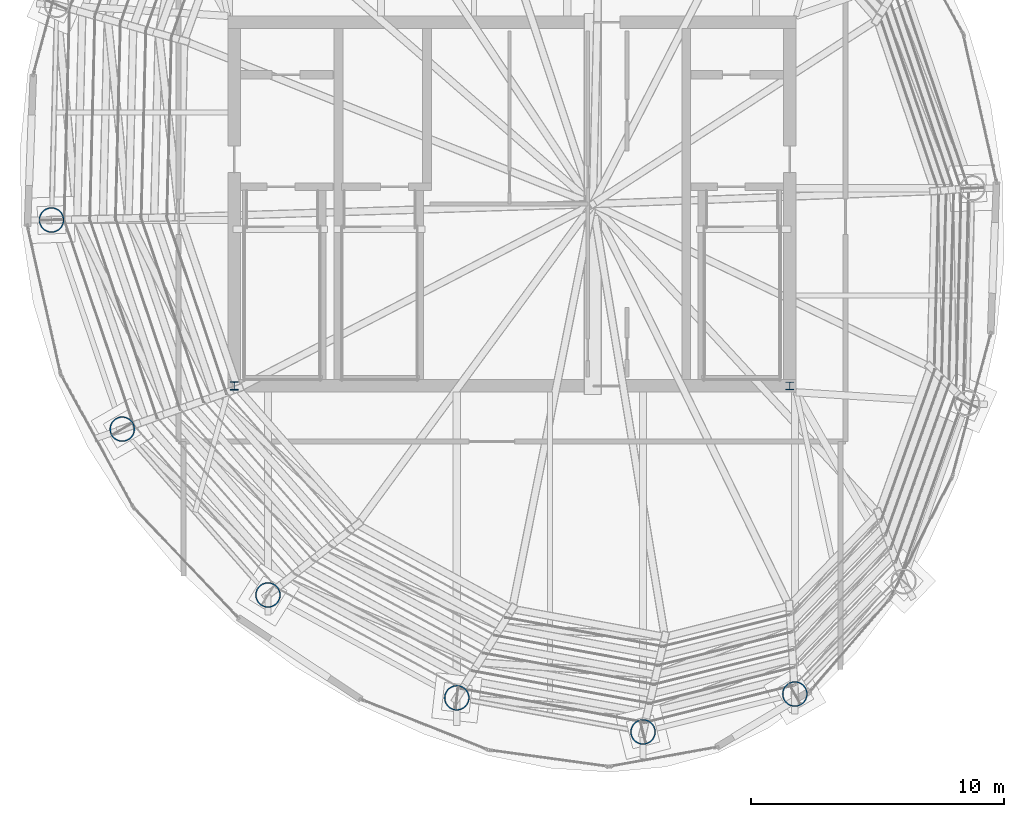
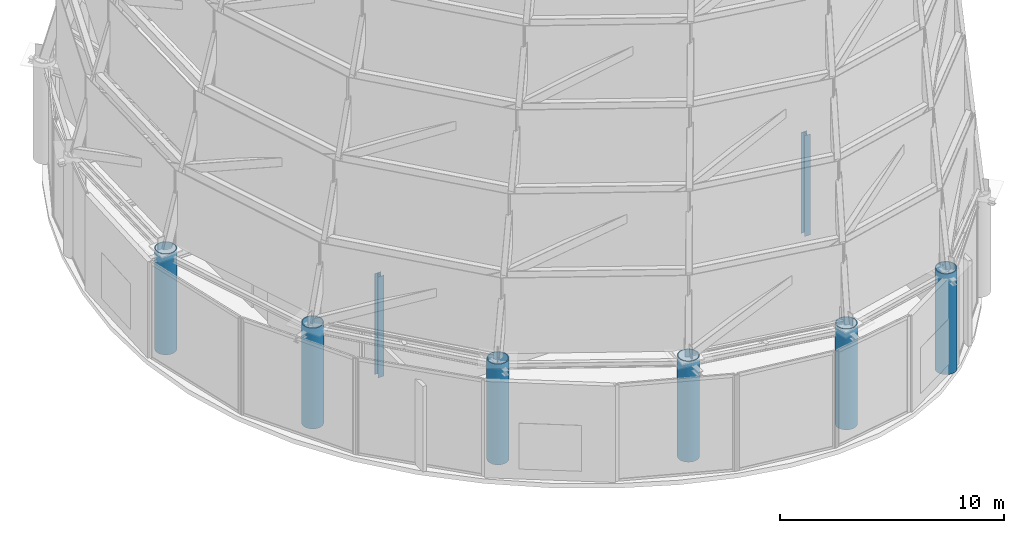
# One storey, part 1 of 40: 8 columns.
"""IFC4 building model written with IfcOpenShell, lengths in metres."""

from ifc_helpers import new_model, si_unit, direction, frame, origin, origin_2d, place, context, subcontext, project, spatial, hollow_circle, i_section, extrude, material, material_profile, profile_set, type_object, element, save


model = new_model("IFC4")

# Units and contexts
model_context = context("Model", 3, precision=1e-05, world=origin(), true_north=direction((0.0, 1.0)))
body_context = subcontext(model_context, "Body", "Model", "MODEL_VIEW")
ifc_project = project(units=[si_unit("LENGTHUNIT", "METRE"), si_unit("AREAUNIT", "SQUARE_METRE"), si_unit("VOLUMEUNIT", "CUBIC_METRE"), si_unit("PLANEANGLEUNIT", "RADIAN"), si_unit("MASSUNIT", "GRAM", prefix="KILO")], contexts=[model_context])

# Site, building, storey
site_placement = place(None, origin())
site = spatial("IfcSite", under=ifc_project, at=site_placement, CompositionType="ELEMENT")
building_placement = place(site_placement, origin())
building = spatial("IfcBuilding", under=site, at=building_placement, Name="Bramvorn Convention Spire", CompositionType="ELEMENT")
storey_placement = place(building_placement, frame((0.0, 0.0, 312.5)))
storey = spatial("IfcBuildingStorey", under=building, at=storey_placement, Name="L79", CompositionType="ELEMENT", Elevation=312.5)

# Columns
ifc_material = material(Name="Steel CSA G40.21 Grade 350 (350W)", Category="steel")
ifc_material_profile_1 = material_profile(ifc_material, hollow_circle(Radius=0.5, WallThickness=0.044921875, at=origin_2d()))
ifc_profile_set_1 = profile_set([ifc_material_profile_1], Name="Steel CSA G40.21 Grade 350 (350W) - CFT1000X45")
column_type_1 = type_object("IfcColumnType", Name="COL-CFT1000X45", PredefinedType="COLUMN", material=ifc_profile_set_1)
for number, where, z_axis, x_axis, name in (
    (1, (49.199951171875, 6.60107421875, 0.0), (0.0, 0.0, 1.0), (1.0, 0.0, 0.0), "L79 composite CFT mega-column MC01"),
    (2, (19.765380859375, 25.37060546875, 0.0), (0.0, 0.0, 1.0), (1.0, 0.0, 0.0), "L79 composite CFT mega-column MC12"),
    (3, (22.5673828125, 17.090087890625, 0.0), (0.0, 0.0, 1.0), (1.0, 0.0, 0.0), "L79 composite CFT mega-column MC13"),
    (4, (28.337646484375, 10.523193359375, 0.0), (0.0, 0.0, 1.0), (1.0, 0.0, 0.0), "L79 composite CFT mega-column MC14"),
    (5, (35.8154296875, 6.44921875, 0.0), (0.0, 0.0, 1.0), (1.0, 0.0, 0.0), "L79 composite CFT mega-column MC15"),
    (6, (43.1884765625, 5.09912109375, 0.0), (0.0, 0.0, 1.0), (1.0, 0.0, 0.0), "L79 composite CFT mega-column MC16"),
):
    element("IfcColumn", number, at=place(storey_placement, frame(where, z_axis=z_axis, x_axis=x_axis)), inside=storey, type_object=column_type_1, Name=name, PredefinedType="COLUMN", context=body_context, shape_type="SweptSolid", body=[
        extrude(hollow_circle(Radius=0.5, WallThickness=0.044921875, at=origin_2d()), origin(), (0.0, 0.0, 1.0), 5.5),
    ])
ifc_material_profile_2 = material_profile(ifc_material, i_section(OverallWidth=0.30908203125, OverallDepth=0.322998046875, WebThickness=0.013916015625, FlangeThickness=0.02294921875, FilletRadius=0.014892578125, at=origin_2d()))
ifc_profile_set_2 = profile_set([ifc_material_profile_2], Name="Steel CSA G40.21 Grade 350 (350W) - W310X143")
column_type_2 = type_object("IfcColumnType", Name="COL-W310X143", PredefinedType="COLUMN", material=ifc_profile_set_2)
column_1_placement = place(storey_placement, frame((27.0, 18.800048828125, 0.0), z_axis=(0.0, 0.0, 1.0), x_axis=(1.0, 0.0, 0.0)))
element("IfcColumn", 7, at=column_1_placement, inside=storey, type_object=column_type_2, Name="L79 auxiliary structural column PC-L79-1", PredefinedType="COLUMN", context=body_context, shape_type="SweptSolid", body=[
    extrude(i_section(OverallWidth=0.30908203125, OverallDepth=0.322998046875, WebThickness=0.013916015625, FlangeThickness=0.02294921875, FilletRadius=0.014892578125, at=origin_2d()), origin(), (0.0, 0.0, 1.0), 5.5),
])
ifc_material_profile_3 = material_profile(ifc_material, i_section(OverallWidth=0.304931640625, OverallDepth=0.30810546875, WebThickness=0.010009765625, FlangeThickness=0.015380859375, FilletRadius=0.014892578125, at=origin_2d()))
ifc_profile_set_3 = profile_set([ifc_material_profile_3], Name="Steel CSA G40.21 Grade 350 (350W) - W310X97")
column_type_3 = type_object("IfcColumnType", Name="COL-W310X97", PredefinedType="COLUMN", material=ifc_profile_set_3)
column_2_placement = place(storey_placement, frame((49.0, 18.800048828125, 0.0), z_axis=(0.0, 0.0, 1.0), x_axis=(1.0, 0.0, 0.0)))
element("IfcColumn", 8, at=column_2_placement, inside=storey, type_object=column_type_3, Name="L79 auxiliary structural column PC-L79-2", PredefinedType="COLUMN", context=body_context, shape_type="SweptSolid", body=[
    extrude(i_section(OverallWidth=0.304931640625, OverallDepth=0.30810546875, WebThickness=0.010009765625, FlangeThickness=0.015380859375, FilletRadius=0.014892578125, at=origin_2d()), origin(), (0.0, 0.0, 1.0), 5.5),
])

save(model, "model.ifc")
